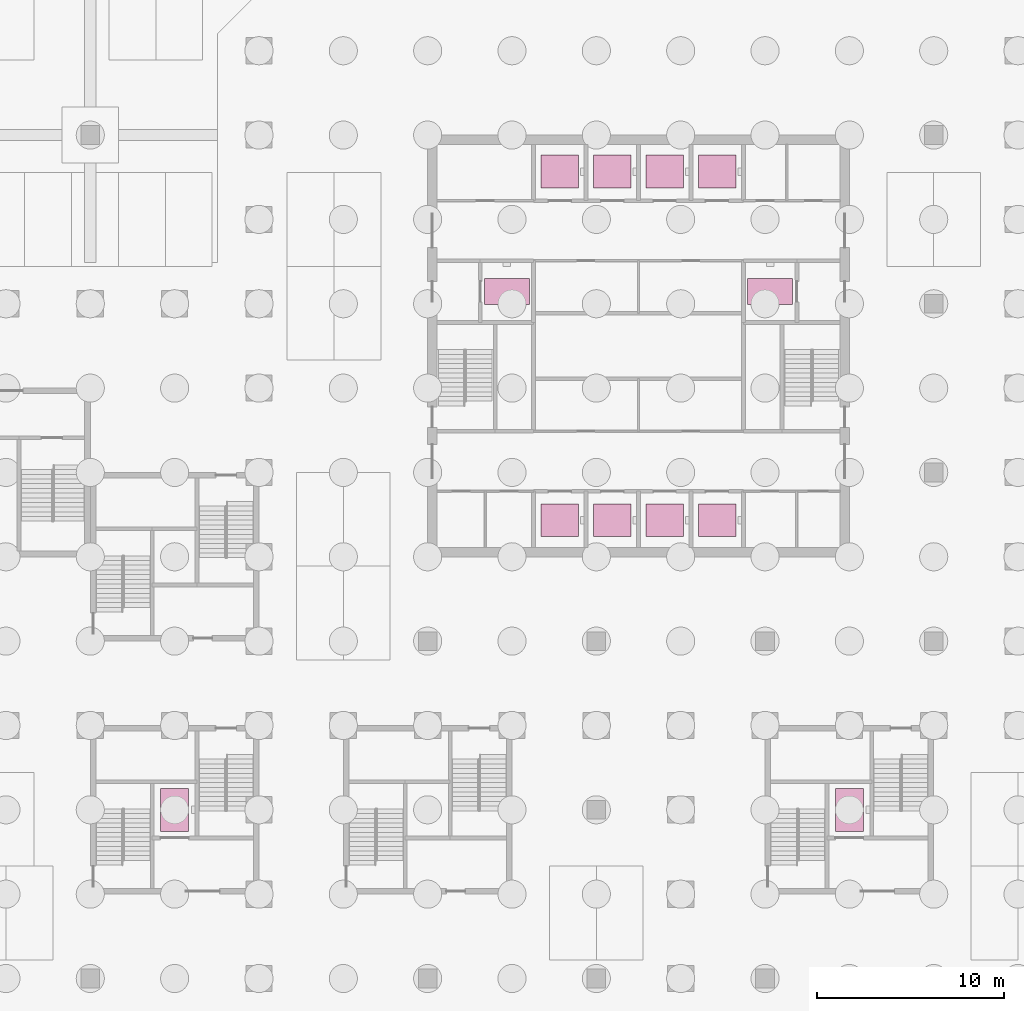
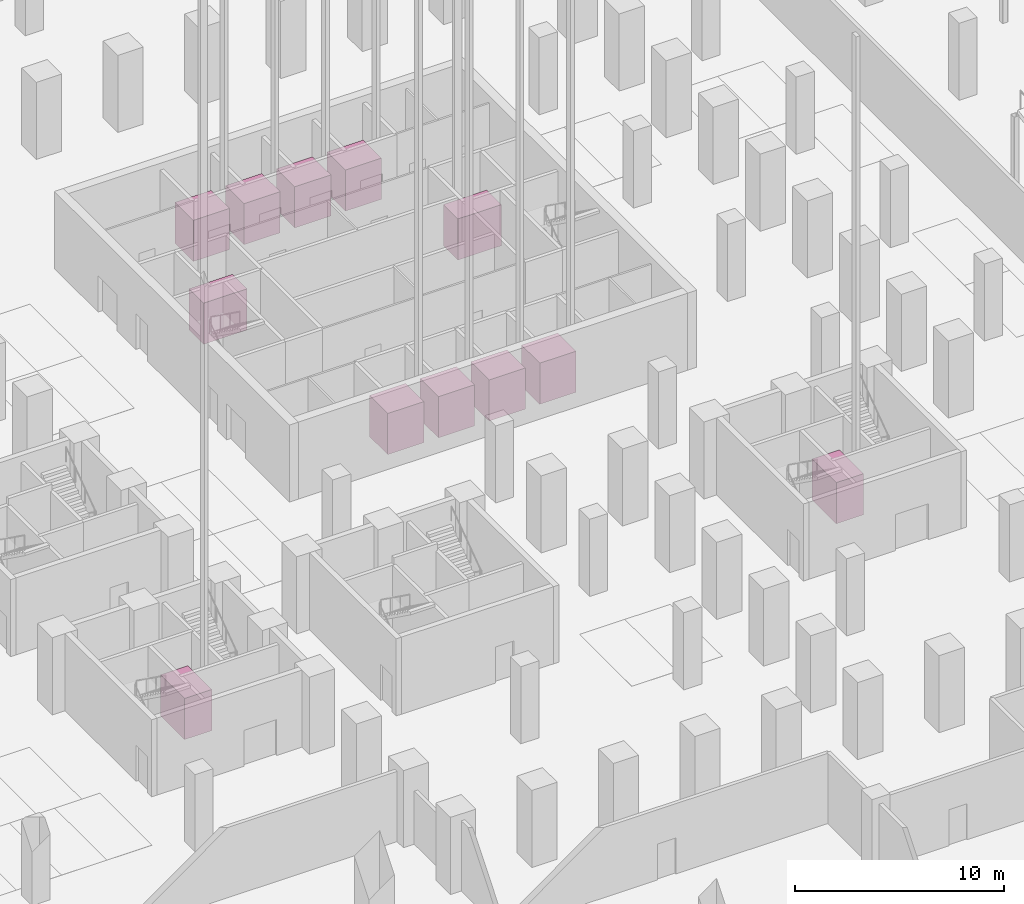
# One storey, part 37 of 37: 12 transport elements.
"""IFC4 building model written with IfcOpenShell, lengths in metres."""

from ifc_helpers import new_model, si_unit, direction, frame, origin, origin_2d, place, context, subcontext, project, spatial, rectangle, extrude, material, type_object, element, save


model = new_model("IFC4")

# Units and contexts
model_context = context("Model", 3, precision=1e-05, world=origin(), true_north=direction((0.0, 1.0)))
body_context = subcontext(model_context, "Body", "Model", "MODEL_VIEW")
ifc_project = project(units=[si_unit("LENGTHUNIT", "METRE"), si_unit("AREAUNIT", "SQUARE_METRE"), si_unit("VOLUMEUNIT", "CUBIC_METRE"), si_unit("PLANEANGLEUNIT", "RADIAN"), si_unit("MASSUNIT", "GRAM", prefix="KILO")], contexts=[model_context])

# Site, building, storey
site_placement = place(None, origin())
site = spatial("IfcSite", under=ifc_project, at=site_placement, CompositionType="ELEMENT")
building_placement = place(site_placement, origin())
building = spatial("IfcBuilding", under=site, at=building_placement, Name="Quoin Convention Tower", CompositionType="ELEMENT")
storey_placement = place(building_placement, frame((0.0, 0.0, -9.0)))
storey = spatial("IfcBuildingStorey", under=building, at=storey_placement, Name="B2", CompositionType="ELEMENT", Elevation=-9.0)

# Transport elements
ifc_material = material(Name="Stainless steel", Category="steel")
transport_element_type_1 = type_object("IfcTransportElementType", Name="Fire-fighting lift 1600 kg 1400 x 2400", PredefinedType="ELEVATOR", material=ifc_material)
for number, where, z_axis, x_axis, name in (
    (1, (49.22509765625, 63.64990234375, 0.0), (0.0, 0.0, 1.0), (1.0, 0.0, 0.0), "LIFT FL1"),
    (2, (63.27490234375, 63.64990234375, 0.0), (0.0, 0.0, 1.0), (1.0, 0.0, 0.0), "LIFT FL2"),
):
    element("IfcTransportElement", number, at=place(storey_placement, frame(where, z_axis=z_axis, x_axis=x_axis)), inside=storey, type_object=transport_element_type_1, Name=name, PredefinedType="ELEVATOR", context=body_context, shape_type="SweptSolid", body=[
        extrude(rectangle(XDim=2.39990234375, YDim=1.39990234375, at=origin_2d()), origin(), (0.0, 0.0, 1.0), 2.39990234375),
    ])
transport_element_type_2 = type_object("IfcTransportElementType", Name="Goods lift 1600 kg 1500 x 2300", PredefinedType="ELEVATOR", material=ifc_material)
for number, where, z_axis, x_axis, name in (
    (3, (31.5, 36.0, 0.0), (0.0, 0.0, 1.0), (1.0, 0.0, 0.0), "LIFT GL1"),
    (4, (67.5, 36.0, 0.0), (0.0, 0.0, 1.0), (1.0, 0.0, 0.0), "LIFT GL2"),
):
    element("IfcTransportElement", number, at=place(storey_placement, frame(where, z_axis=z_axis, x_axis=x_axis)), inside=storey, type_object=transport_element_type_2, Name=name, PredefinedType="ELEVATOR", context=body_context, shape_type="SweptSolid", body=[
        extrude(rectangle(XDim=1.5, YDim=2.300048828125, at=origin_2d()), origin(), (0.0, 0.0, 1.0), 2.39990234375),
    ])
transport_element_type_3 = type_object("IfcTransportElementType", Name="Passenger lift 1600 kg 2000 x 1750", PredefinedType="ELEVATOR", material=ifc_material)
for number, where, z_axis, x_axis, name in (
    (5, (52.050048828125, 51.449951171875, 0.0), (0.0, 0.0, 1.0), (1.0, 0.0, 0.0), "LIFT L1"),
    (6, (54.85009765625, 51.449951171875, 0.0), (0.0, 0.0, 1.0), (1.0, 0.0, 0.0), "LIFT L2"),
    (7, (57.64990234375, 51.449951171875, 0.0), (0.0, 0.0, 1.0), (1.0, 0.0, 0.0), "LIFT L3"),
    (8, (60.449951171875, 51.449951171875, 0.0), (0.0, 0.0, 1.0), (1.0, 0.0, 0.0), "LIFT L4"),
    (9, (52.050048828125, 70.050048828125, 0.0), (0.0, 0.0, 1.0), (1.0, 0.0, 0.0), "LIFT L5"),
    (10, (54.85009765625, 70.050048828125, 0.0), (0.0, 0.0, 1.0), (1.0, 0.0, 0.0), "LIFT L6"),
    (11, (57.64990234375, 70.050048828125, 0.0), (0.0, 0.0, 1.0), (1.0, 0.0, 0.0), "LIFT L7"),
    (12, (60.449951171875, 70.050048828125, 0.0), (0.0, 0.0, 1.0), (1.0, 0.0, 0.0), "LIFT L8"),
):
    element("IfcTransportElement", number, at=place(storey_placement, frame(where, z_axis=z_axis, x_axis=x_axis)), inside=storey, type_object=transport_element_type_3, Name=name, PredefinedType="ELEVATOR", context=body_context, shape_type="SweptSolid", body=[
        extrude(rectangle(XDim=2.0, YDim=1.75, at=origin_2d()), origin(), (0.0, 0.0, 1.0), 2.39990234375),
    ])

save(model, "model.ifc")
